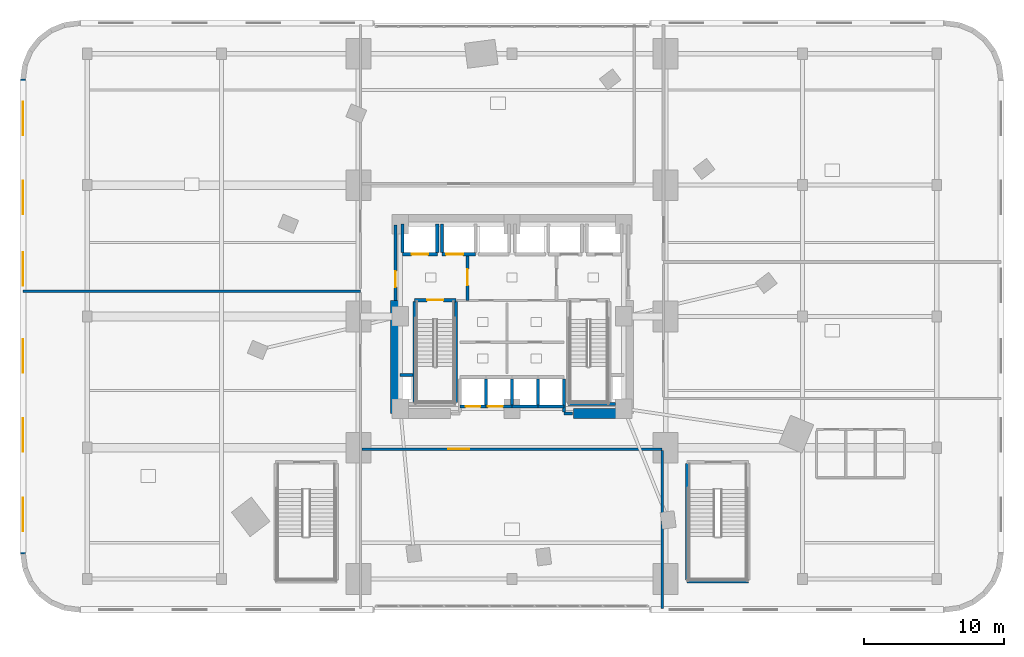
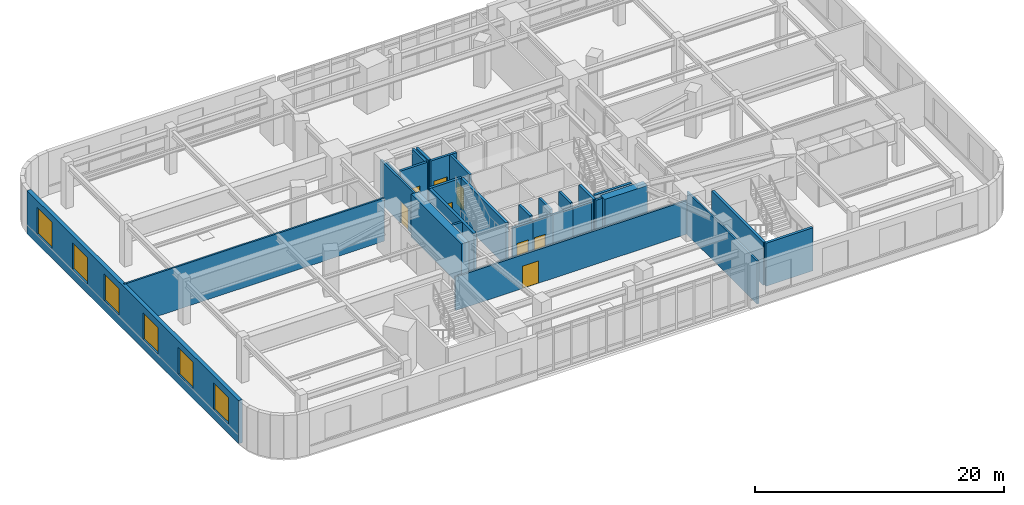
# One storey, part 13 of 19: 29 walls, 8 doors, 6 windows, 14 openings.
"""IFC4 building model written with IfcOpenShell, lengths in metres."""

from ifc_helpers import new_model, si_unit, direction, frame, frame_2d, origin, place, context, subcontext, project, spatial, rectangle, extrude, material, layer, layer_set, type_object, element, fill, save


model = new_model("IFC4")

# Units and contexts
model_context = context("Model", 3, precision=1e-05, world=origin(), true_north=direction((0.0, 1.0)))
body_context = subcontext(model_context, "Body", "Model", "MODEL_VIEW")
ifc_project = project(units=[si_unit("LENGTHUNIT", "METRE"), si_unit("AREAUNIT", "SQUARE_METRE"), si_unit("VOLUMEUNIT", "CUBIC_METRE"), si_unit("PLANEANGLEUNIT", "RADIAN"), si_unit("MASSUNIT", "GRAM", prefix="KILO")], contexts=[model_context])

# Site, building, storey
site_placement = place(None, origin())
site = spatial("IfcSite", under=ifc_project, at=site_placement, CompositionType="ELEMENT")
building_placement = place(site_placement, origin())
building = spatial("IfcBuilding", under=site, at=building_placement, Name="Ndelora Gate Hotel", CompositionType="ELEMENT")
storey_placement = place(building_placement, frame((0.0, 0.0, 21.5)))
storey = spatial("IfcBuildingStorey", under=building, at=storey_placement, Name="L04", CompositionType="ELEMENT", Elevation=21.5)

# Wall, openings, windows
ifc_material_1 = material(Name="Clay Brick Masonry", Category="masonry")
ifc_layer_1 = layer(ifc_material_1, 0.360107421875)
ifc_layer_set_1 = layer_set([ifc_layer_1], Name="Clay Brick Masonry")
wall_type_1 = type_object("IfcWallType", Name="WL-BRICK-360", PredefinedType="SOLIDWALL", material=ifc_layer_set_1)
wall_1_placement = place(storey_placement, frame((-35.0, -17.0, 0.0), z_axis=(0.0, 0.0, 1.0), x_axis=(0.0, 1.0, 0.0)))
wall_1 = element("IfcWall", 1, at=wall_1_placement, inside=storey, type_object=wall_type_1, Name="L04 Exterior Brick Pier-and-Spandrel Wall 22", PredefinedType="SOLIDWALL", context=body_context, shape_type="SweptSolid", body=[
    extrude(rectangle(XDim=34.0, YDim=0.360107421875, at=frame_2d((17.0, 0.0))), origin(), (0.0, 0.0, 1.0), 4.219970703125),
])
opening_1_placement = place(wall_1_placement, frame((1.63330078125, 0.0, 0.949951171875)))
opening_1 = element("IfcOpeningElement", 2, at=opening_1_placement, cuts=wall_1, Name="Opening W04", PredefinedType="OPENING", context=body_context, shape_type="SweptSolid", body=[
    extrude(rectangle(XDim=2.39990234375, YDim=2.60009765625, at=frame_2d((1.199951171875, 1.300048828125))), frame((0.0, 0.18994140625, 0.0), z_axis=(0.0, -1.0, 0.0), x_axis=(1.0, 0.0, 0.0)), (0.0, 0.0, 1.0), 0.380126953125),
])
opening_2_placement = place(wall_1_placement, frame((7.300048828125, 0.0, 0.949951171875)))
opening_2 = element("IfcOpeningElement", 3, at=opening_2_placement, cuts=wall_1, Name="Opening W04", PredefinedType="OPENING", context=body_context, shape_type="SweptSolid", body=[
    extrude(rectangle(XDim=2.39990234375, YDim=2.60009765625, at=frame_2d((1.199951171875, 1.300048828125))), frame((0.0, 0.18994140625, 0.0), z_axis=(0.0, -1.0, 0.0), x_axis=(1.0, 0.0, 0.0)), (0.0, 0.0, 1.0), 0.380126953125),
])
opening_3_placement = place(wall_1_placement, frame((12.966796875, 0.0, 0.949951171875)))
opening_3 = element("IfcOpeningElement", 4, at=opening_3_placement, cuts=wall_1, Name="Opening W04", PredefinedType="OPENING", context=body_context, shape_type="SweptSolid", body=[
    extrude(rectangle(XDim=2.39990234375, YDim=2.60009765625, at=frame_2d((1.199951171875, 1.300048828125))), frame((0.0, 0.18994140625, 0.0), z_axis=(0.0, -1.0, 0.0), x_axis=(1.0, 0.0, 0.0)), (0.0, 0.0, 1.0), 0.380126953125),
])
opening_4_placement = place(wall_1_placement, frame((19.199951171875, 0.0, 0.949951171875)))
opening_4 = element("IfcOpeningElement", 5, at=opening_4_placement, cuts=wall_1, Name="Opening W04", PredefinedType="OPENING", context=body_context, shape_type="SweptSolid", body=[
    extrude(rectangle(XDim=2.39990234375, YDim=2.60009765625, at=frame_2d((1.199951171875, 1.300048828125))), frame((0.0, 0.18994140625, 0.0), z_axis=(0.0, -1.0, 0.0), x_axis=(1.0, 0.0, 0.0)), (0.0, 0.0, 1.0), 0.380126953125),
])
opening_5_placement = place(wall_1_placement, frame((24.300048828125, 0.0, 0.949951171875)))
opening_5 = element("IfcOpeningElement", 6, at=opening_5_placement, cuts=wall_1, Name="Opening W04", PredefinedType="OPENING", context=body_context, shape_type="SweptSolid", body=[
    extrude(rectangle(XDim=2.39990234375, YDim=2.60009765625, at=frame_2d((1.199951171875, 1.300048828125))), frame((0.0, 0.18994140625, 0.0), z_axis=(0.0, -1.0, 0.0), x_axis=(1.0, 0.0, 0.0)), (0.0, 0.0, 1.0), 0.380126953125),
])
opening_6_placement = place(wall_1_placement, frame((29.966796875, 0.0, 0.949951171875)))
opening_6 = element("IfcOpeningElement", 7, at=opening_6_placement, cuts=wall_1, Name="Opening W04", PredefinedType="OPENING", context=body_context, shape_type="SweptSolid", body=[
    extrude(rectangle(XDim=2.39990234375, YDim=2.60009765625, at=frame_2d((1.199951171875, 1.300048828125))), frame((0.0, 0.18994140625, 0.0), z_axis=(0.0, -1.0, 0.0), x_axis=(1.0, 0.0, 0.0)), (0.0, 0.0, 1.0), 0.380126953125),
])
ifc_material_2 = material(Name="Insulated Low-E Double Glazing in Bronze Aluminium Frame", Category="aluminium")
window_type = type_object("IfcWindowType", Name="WN-POD-2400", PartitioningType="SINGLE_PANEL", PredefinedType="WINDOW", material=ifc_material_2)
window_1_placement = place(opening_1_placement, origin())
window_1 = element("IfcWindow", 8, at=window_1_placement, inside=storey, type_object=window_type, Name="L04 Deep-Set Podium Brick-Frame Window W04", OverallHeight=2.60009765625, OverallWidth=2.39990234375, PartitioningType="SINGLE_PANEL", PredefinedType="WINDOW", context=body_context, shape_type="SweptSolid", body=[
    extrude(rectangle(XDim=2.39990234375, YDim=2.60009765625, at=frame_2d((1.199951171875, 1.300048828125))), frame((0.0, 0.030029296875, 0.0), z_axis=(0.0, -1.0, 0.0), x_axis=(1.0, 0.0, 0.0)), (0.0, 0.0, 1.0), 0.06005859375),
])
fill(opening_1, window_1)
window_2_placement = place(opening_2_placement, origin())
window_2 = element("IfcWindow", 9, at=window_2_placement, inside=storey, type_object=window_type, Name="L04 Deep-Set Podium Brick-Frame Window W04", OverallHeight=2.60009765625, OverallWidth=2.39990234375, PartitioningType="SINGLE_PANEL", PredefinedType="WINDOW", context=body_context, shape_type="SweptSolid", body=[
    extrude(rectangle(XDim=2.39990234375, YDim=2.60009765625, at=frame_2d((1.199951171875, 1.300048828125))), frame((0.0, 0.030029296875, 0.0), z_axis=(0.0, -1.0, 0.0), x_axis=(1.0, 0.0, 0.0)), (0.0, 0.0, 1.0), 0.06005859375),
])
fill(opening_2, window_2)
window_3_placement = place(opening_3_placement, origin())
window_3 = element("IfcWindow", 10, at=window_3_placement, inside=storey, type_object=window_type, Name="L04 Deep-Set Podium Brick-Frame Window W04", OverallHeight=2.60009765625, OverallWidth=2.39990234375, PartitioningType="SINGLE_PANEL", PredefinedType="WINDOW", context=body_context, shape_type="SweptSolid", body=[
    extrude(rectangle(XDim=2.39990234375, YDim=2.60009765625, at=frame_2d((1.199951171875, 1.300048828125))), frame((0.0, 0.030029296875, 0.0), z_axis=(0.0, -1.0, 0.0), x_axis=(1.0, 0.0, 0.0)), (0.0, 0.0, 1.0), 0.06005859375),
])
fill(opening_3, window_3)
window_4_placement = place(opening_4_placement, origin())
window_4 = element("IfcWindow", 11, at=window_4_placement, inside=storey, type_object=window_type, Name="L04 Deep-Set Podium Brick-Frame Window W04", OverallHeight=2.60009765625, OverallWidth=2.39990234375, PartitioningType="SINGLE_PANEL", PredefinedType="WINDOW", context=body_context, shape_type="SweptSolid", body=[
    extrude(rectangle(XDim=2.39990234375, YDim=2.60009765625, at=frame_2d((1.199951171875, 1.300048828125))), frame((0.0, 0.030029296875, 0.0), z_axis=(0.0, -1.0, 0.0), x_axis=(1.0, 0.0, 0.0)), (0.0, 0.0, 1.0), 0.06005859375),
])
fill(opening_4, window_4)
window_5_placement = place(opening_5_placement, origin())
window_5 = element("IfcWindow", 12, at=window_5_placement, inside=storey, type_object=window_type, Name="L04 Deep-Set Podium Brick-Frame Window W04", OverallHeight=2.60009765625, OverallWidth=2.39990234375, PartitioningType="SINGLE_PANEL", PredefinedType="WINDOW", context=body_context, shape_type="SweptSolid", body=[
    extrude(rectangle(XDim=2.39990234375, YDim=2.60009765625, at=frame_2d((1.199951171875, 1.300048828125))), frame((0.0, 0.030029296875, 0.0), z_axis=(0.0, -1.0, 0.0), x_axis=(1.0, 0.0, 0.0)), (0.0, 0.0, 1.0), 0.06005859375),
])
fill(opening_5, window_5)
window_6_placement = place(opening_6_placement, origin())
window_6 = element("IfcWindow", 13, at=window_6_placement, inside=storey, type_object=window_type, Name="L04 Deep-Set Podium Brick-Frame Window W04", OverallHeight=2.60009765625, OverallWidth=2.39990234375, PartitioningType="SINGLE_PANEL", PredefinedType="WINDOW", context=body_context, shape_type="SweptSolid", body=[
    extrude(rectangle(XDim=2.39990234375, YDim=2.60009765625, at=frame_2d((1.199951171875, 1.300048828125))), frame((0.0, 0.030029296875, 0.0), z_axis=(0.0, -1.0, 0.0), x_axis=(1.0, 0.0, 0.0)), (0.0, 0.0, 1.0), 0.06005859375),
])
fill(opening_6, window_6)

# Walls
ifc_material_3 = material(Name="Concrete C60/75", Category="concrete")
ifc_layer_2 = layer(ifc_material_3, 0.699951171875)
ifc_layer_set_2 = layer_set([ifc_layer_2], Name="Concrete C60/75")
wall_type_2 = type_object("IfcWallType", Name="WL-CORE-700", PredefinedType="SHEAR", material=ifc_layer_set_2)
wall_2_placement = place(storey_placement, frame((4.39990234375, -6.949951171875, 0.0), z_axis=(0.0, 0.0, 1.0), x_axis=(1.0, 0.0, 0.0)))
element("IfcWall", 14, at=wall_2_placement, inside=storey, type_object=wall_type_2, Name="L04 Core Shear Wall S-E", PredefinedType="SHEAR", context=body_context, shape_type="SweptSolid", body=[
    extrude(rectangle(XDim=3.9501953125, YDim=0.699951171875, at=frame_2d((1.97509765625, 0.0))), origin(), (0.0, 0.0, 1.0), 4.219970703125),
])
wall_3_placement = place(storey_placement, frame((-8.35009765625, -6.949951171875, 0.0), z_axis=(0.0, 0.0, 1.0), x_axis=(0.0, 1.0, 0.0)))
element("IfcWall", 15, at=wall_3_placement, inside=storey, type_object=wall_type_2, Name="L04 Core Shear Wall W", PredefinedType="SHEAR", context=body_context, shape_type="SweptSolid", body=[
    extrude(rectangle(XDim=8.099853515625, YDim=0.699951171875, at=frame_2d((4.0498046875, 0.0))), origin(), (0.0, 0.0, 1.0), 4.219970703125),
])

# Wall, opening, door
ifc_material_4 = material(Name="Concrete C40/50", Category="concrete")
ifc_layer_3 = layer(ifc_material_4, 0.199951171875)
ifc_layer_set_3 = layer_set([ifc_layer_3], Name="Concrete C40/50")
wall_type_3 = type_object("IfcWallType", Name="WL-FIRE-200", PredefinedType="PARTITIONING", material=ifc_layer_set_3)
wall_4_placement = place(storey_placement, frame((-3.179931640625, 1.14990234375, 0.0), z_axis=(0.0, 0.0, 1.0), x_axis=(0.0, 1.0, 0.0)))
wall_4 = element("IfcWall", 16, at=wall_4_placement, inside=storey, type_object=wall_type_3, Name="L04 Interior Wall IW-2", PredefinedType="PARTITIONING", context=body_context, shape_type="SweptSolid", body=[
    extrude(rectangle(XDim=3.300048828125, YDim=0.199951171875, at=frame_2d((1.64990234375, 0.0))), origin(), (0.0, 0.0, 1.0), 4.219970703125),
])
opening_7_placement = place(wall_4_placement, frame((1.080078125, 0.0, 0.0)))
opening_7 = element("IfcOpeningElement", 17, at=opening_7_placement, cuts=wall_4, Name="Opening FD1", PredefinedType="OPENING", context=body_context, shape_type="SweptSolid", body=[
    extrude(rectangle(XDim=1.14990234375, YDim=2.14990234375, at=frame_2d((0.574951171875, 1.074951171875))), frame((0.0, 0.10986328125, 0.0), z_axis=(0.0, -1.0, 0.0), x_axis=(1.0, 0.0, 0.0)), (0.0, 0.0, 1.0), 0.219970703125),
])
ifc_material_5 = material(Name="Fire-Rated Timber-Veneer Steel Core", Category="steel")
door_type_1 = type_object("IfcDoorType", Name="DR-FD60", OperationType="SINGLE_SWING_LEFT", PredefinedType="DOOR", material=ifc_material_5)
door_1_placement = place(opening_7_placement, origin())
door_1 = element("IfcDoor", 18, at=door_1_placement, inside=storey, type_object=door_type_1, Name="L04 Firefighting Lobby West Door", OperationType="SINGLE_SWING_RIGHT", OverallHeight=2.14990234375, OverallWidth=1.14990234375, PredefinedType="DOOR", context=body_context, shape_type="SweptSolid", body=[
    extrude(rectangle(XDim=1.14990234375, YDim=2.14990234375, at=frame_2d((0.574951171875, 1.074951171875))), frame((0.0, 0.02490234375, 0.0), z_axis=(0.0, -1.0, 0.0), x_axis=(1.0, 0.0, 0.0)), (0.0, 0.0, 1.0), 0.050048828125),
])
fill(opening_7, door_1)

wall_5_placement = place(storey_placement, frame((-8.35009765625, 1.14990234375, 0.0), z_axis=(0.0, 0.0, 1.0), x_axis=(0.0, 1.0, 0.0)))
wall_5 = element("IfcWall", 19, at=wall_5_placement, inside=storey, type_object=wall_type_3, Name="L04 Interior Wall IW-2", PredefinedType="PARTITIONING", context=body_context, shape_type="SweptSolid", body=[
    extrude(rectangle(XDim=5.400146484375, YDim=0.199951171875, at=frame_2d((2.7001953125, 0.0))), origin(), (0.0, 0.0, 1.0), 4.219970703125),
])
opening_8_placement = place(wall_5_placement, frame((0.949951171875, 0.0, 0.0)))
opening_8 = element("IfcOpeningElement", 20, at=opening_8_placement, cuts=wall_5, Name="Opening FD1", PredefinedType="OPENING", context=body_context, shape_type="SweptSolid", body=[
    extrude(rectangle(XDim=1.14990234375, YDim=2.14990234375, at=frame_2d((0.574951171875, 1.074951171875))), frame((0.0, 0.10986328125, 0.0), z_axis=(0.0, -1.0, 0.0), x_axis=(1.0, 0.0, 0.0)), (0.0, 0.0, 1.0), 0.219970703125),
])
door_2_placement = place(opening_8_placement, origin())
door_2 = element("IfcDoor", 21, at=door_2_placement, inside=storey, type_object=door_type_1, Name="L04 Firefighting Lobby West Corridor Door", OperationType="SINGLE_SWING_LEFT", OverallHeight=2.14990234375, OverallWidth=1.14990234375, PredefinedType="DOOR", context=body_context, shape_type="SweptSolid", body=[
    extrude(rectangle(XDim=1.14990234375, YDim=2.14990234375, at=frame_2d((0.574951171875, 1.074951171875))), frame((0.0, 0.02490234375, 0.0), z_axis=(0.0, -1.0, 0.0), x_axis=(1.0, 0.0, 0.0)), (0.0, 0.0, 1.0), 0.050048828125),
])
fill(opening_8, door_2)

# Walls
wall_6_placement = place(storey_placement, frame((3.719970703125, -6.949951171875, 0.0), z_axis=(0.0, 0.0, 1.0), x_axis=(1.0, 0.0, 0.0)))
element("IfcWall", 22, at=wall_6_placement, inside=storey, type_object=wall_type_3, Name="L04 Interior Wall IW-2", PredefinedType="PARTITIONING", context=body_context, shape_type="SweptSolid", body=[
    extrude(rectangle(XDim=0.60009765625, YDim=0.199951171875, at=frame_2d((0.300048828125, 0.0))), origin(), (0.0, 0.0, 1.0), 4.219970703125),
])
ifc_material_6 = material(Name="Fire-Rated Gypsum Stud Partition", Category="gypsum")
ifc_layer_4 = layer(ifc_material_6, 0.159912109375)
ifc_layer_set_4 = layer_set([ifc_layer_4], Name="Fire-Rated Gypsum Stud Partition")
wall_type_4 = type_object("IfcWallType", Name="WL-PART-160", PredefinedType="PARTITIONING", material=ifc_layer_set_4)
wall_7_placement = place(storey_placement, frame((-10.85009765625, 1.800048828125, 0.0), z_axis=(0.0, 0.0, 1.0), x_axis=(-1.0, 0.0, 0.0)))
element("IfcWall", 23, at=wall_7_placement, inside=storey, type_object=wall_type_4, Name="L04 Interior Wall IW-4", PredefinedType="PARTITIONING", context=body_context, shape_type="SweptSolid", body=[
    extrude(rectangle(XDim=24.14990234375, YDim=0.159912109375, at=frame_2d((12.074951171875, 0.0))), origin(), (0.0, 0.0, 1.0), 4.219970703125),
])

# Wall, opening, door
wall_8_placement = place(storey_placement, frame((10.75, -9.5, 0.0), z_axis=(0.0, 0.0, 1.0), x_axis=(-1.0, 0.0, 0.0)))
wall_8 = element("IfcWall", 24, at=wall_8_placement, inside=storey, type_object=wall_type_4, Name="L04 Interior Wall IW-4", PredefinedType="PARTITIONING", context=body_context, shape_type="SweptSolid", body=[
    extrude(rectangle(XDim=21.5, YDim=0.159912109375, at=frame_2d((10.75, 0.0))), origin(), (0.0, 0.0, 1.0), 3.300048828125),
])
opening_9_placement = place(wall_8_placement, frame((13.800048828125, 0.0, 0.0)))
opening_9 = element("IfcOpeningElement", 25, at=opening_9_placement, cuts=wall_8, Name="Opening D06", PredefinedType="OPENING", context=body_context, shape_type="SweptSolid", body=[
    extrude(rectangle(XDim=1.5, YDim=2.199951171875, at=frame_2d((0.75, 1.10009765625))), frame((0.0, 0.08984375, 0.0), z_axis=(0.0, -1.0, 0.0), x_axis=(1.0, 0.0, 0.0)), (0.0, 0.0, 1.0), 0.179931640625),
])
ifc_material_7 = material(Name="Podium Salon Double Leaf Door", Category="wood")
door_type_2 = type_object("IfcDoorType", Name="DR-POD-1500", OperationType="DOUBLE_DOOR_SINGLE_SWING", PredefinedType="DOOR", material=ifc_material_7)
door_3_placement = place(opening_9_placement, origin())
door_3 = element("IfcDoor", 26, at=door_3_placement, inside=storey, type_object=door_type_2, Name="L04 South Syndicate Salon Door", OperationType="DOUBLE_DOOR_SINGLE_SWING", OverallHeight=2.199951171875, OverallWidth=1.5, PredefinedType="DOOR", context=body_context, shape_type="SweptSolid", body=[
    extrude(rectangle(XDim=1.5, YDim=2.199951171875, at=frame_2d((0.75, 1.10009765625))), frame((0.0, 0.02490234375, 0.0), z_axis=(0.0, -1.0, 0.0), x_axis=(1.0, 0.0, 0.0)), (0.0, 0.0, 1.0), 0.050048828125),
])
fill(opening_9, door_3)

# Walls
wall_9_placement = place(storey_placement, frame((10.75, -20.89990234375, 0.0), z_axis=(0.0, 0.0, 1.0), x_axis=(0.0, 1.0, 0.0)))
element("IfcWall", 27, at=wall_9_placement, inside=storey, type_object=wall_type_4, Name="L04 Interior Wall IW-4", PredefinedType="PARTITIONING", context=body_context, shape_type="SweptSolid", body=[
    extrude(rectangle(XDim=11.2998046875, YDim=0.159912109375, at=frame_2d((5.64990234375, 0.0))), origin(), (0.0, 0.0, 1.0), 4.219970703125),
])
ifc_layer_5 = layer(ifc_material_4, 0.219970703125)
ifc_layer_set_5 = layer_set([ifc_layer_5], Name="Concrete C40/50")
wall_type_5 = type_object("IfcWallType", Name="WL-SHAFT-220", PredefinedType="PARTITIONING", material=ifc_layer_set_5)
wall_10_placement = place(storey_placement, frame((-8.0, -4.199951171875, 0.0), z_axis=(0.0, 0.0, 1.0), x_axis=(1.0, 0.0, 0.0)))
element("IfcWall", 28, at=wall_10_placement, inside=storey, type_object=wall_type_5, Name="L04 Interior Wall IW-1", PredefinedType="PARTITIONING", context=body_context, shape_type="SweptSolid", body=[
    extrude(rectangle(XDim=0.909912109375, YDim=0.219970703125, at=frame_2d((0.455078125, 0.0))), origin(), (0.0, 0.0, 1.0), 4.219970703125),
])

# Wall, opening, door
wall_11_placement = place(storey_placement, frame((-7.85009765625, 4.449951171875, 0.0), z_axis=(0.0, 0.0, 1.0), x_axis=(1.0, 0.0, 0.0)))
wall_11 = element("IfcWall", 29, at=wall_11_placement, inside=storey, type_object=wall_type_5, Name="L04 Interior Wall IW-1", PredefinedType="PARTITIONING", context=body_context, shape_type="SweptSolid", body=[
    extrude(rectangle(XDim=2.5, YDim=0.219970703125, at=frame_2d((1.25, 0.0))), origin(), (0.0, 0.0, 1.0), 4.219970703125),
])
opening_10_placement = place(wall_11_placement, frame((0.659912109375, 0.0, 0.0)))
opening_10 = element("IfcOpeningElement", 30, at=opening_10_placement, cuts=wall_11, Name="Opening LD5", PredefinedType="OPENING", context=body_context, shape_type="SweptSolid", body=[
    extrude(rectangle(XDim=1.179931640625, YDim=2.14990234375, at=frame_2d((0.58984375, 1.074951171875))), frame((0.0, 0.1201171875, 0.0), z_axis=(0.0, -1.0, 0.0), x_axis=(1.0, 0.0, 0.0)), (0.0, 0.0, 1.0), 0.239990234375),
])
ifc_material_8 = material(Name="Firefighting Lift Stainless Sliding Landing Door", Category="metal")
door_type_3 = type_object("IfcDoorType", Name="DR-LD5", OperationType="DOUBLE_DOOR_SLIDING", PredefinedType="DOOR", material=ifc_material_8)
door_4_placement = place(opening_10_placement, origin())
door_4 = element("IfcDoor", 31, at=door_4_placement, inside=storey, type_object=door_type_3, Name="L04 Lift Landing Sliding Door FFL1", OperationType="DOUBLE_DOOR_SLIDING", OverallHeight=2.14990234375, OverallWidth=1.179931640625, PredefinedType="DOOR", context=body_context, shape_type="SweptSolid", body=[
    extrude(rectangle(XDim=1.179931640625, YDim=2.14990234375, at=frame_2d((0.58984375, 1.074951171875))), frame((0.0, 0.02490234375, 0.0), z_axis=(0.0, -1.0, 0.0), x_axis=(1.0, 0.0, 0.0)), (0.0, 0.0, 1.0), 0.050048828125),
])
fill(opening_10, door_4)

# Walls
wall_12_placement = place(storey_placement, frame((-7.85009765625, 4.570068359375, 0.0), z_axis=(0.0, 0.0, 1.0), x_axis=(0.0, 1.0, 0.0)))
element("IfcWall", 32, at=wall_12_placement, inside=storey, type_object=wall_type_5, Name="L04 Interior Wall IW-1", PredefinedType="PARTITIONING", context=body_context, shape_type="SweptSolid", body=[
    extrude(rectangle(XDim=2.030029296875, YDim=0.219970703125, at=frame_2d((1.01513671875, 0.0))), origin(), (0.0, 0.0, 1.0), 3.800048828125),
])
wall_13_placement = place(storey_placement, frame((-5.35009765625, 4.570068359375, 0.0), z_axis=(0.0, 0.0, 1.0), x_axis=(0.0, 1.0, 0.0)))
element("IfcWall", 33, at=wall_13_placement, inside=storey, type_object=wall_type_5, Name="L04 Interior Wall IW-1", PredefinedType="PARTITIONING", context=body_context, shape_type="SweptSolid", body=[
    extrude(rectangle(XDim=2.030029296875, YDim=0.219970703125, at=frame_2d((1.01513671875, 0.0))), origin(), (0.0, 0.0, 1.0), 4.219970703125),
])

# Wall, opening, door
wall_14_placement = place(storey_placement, frame((-5.0, 4.449951171875, 0.0), z_axis=(0.0, 0.0, 1.0), x_axis=(1.0, 0.0, 0.0)))
wall_14 = element("IfcWall", 34, at=wall_14_placement, inside=storey, type_object=wall_type_5, Name="L04 Interior Wall IW-1", PredefinedType="PARTITIONING", context=body_context, shape_type="SweptSolid", body=[
    extrude(rectangle(XDim=2.39990234375, YDim=0.219970703125, at=frame_2d((1.199951171875, 0.0))), origin(), (0.0, 0.0, 1.0), 4.219970703125),
])
opening_11_placement = place(wall_14_placement, frame((0.280029296875, 0.0, 0.0)))
opening_11 = element("IfcOpeningElement", 35, at=opening_11_placement, cuts=wall_14, Name="Opening LD6", PredefinedType="OPENING", context=body_context, shape_type="SweptSolid", body=[
    extrude(rectangle(XDim=1.219970703125, YDim=2.14990234375, at=frame_2d((0.60986328125, 1.074951171875))), frame((0.0, 0.1201171875, 0.0), z_axis=(0.0, -1.0, 0.0), x_axis=(1.0, 0.0, 0.0)), (0.0, 0.0, 1.0), 0.239990234375),
])
ifc_material_9 = material(Name="Heavy-Duty Service Lift Sliding Landing Door", Category="wood")
door_type_4 = type_object("IfcDoorType", Name="DR-LD6", OperationType="DOUBLE_DOOR_SLIDING", PredefinedType="DOOR", material=ifc_material_9)
door_5_placement = place(opening_11_placement, origin())
door_5 = element("IfcDoor", 36, at=door_5_placement, inside=storey, type_object=door_type_4, Name="L04 Lift Landing Sliding Door SVL1", OperationType="DOUBLE_DOOR_SLIDING", OverallHeight=2.14990234375, OverallWidth=1.219970703125, PredefinedType="DOOR", context=body_context, shape_type="SweptSolid", body=[
    extrude(rectangle(XDim=1.219970703125, YDim=2.14990234375, at=frame_2d((0.60986328125, 1.074951171875))), frame((0.0, 0.02490234375, 0.0), z_axis=(0.0, -1.0, 0.0), x_axis=(1.0, 0.0, 0.0)), (0.0, 0.0, 1.0), 0.050048828125),
])
fill(opening_11, door_5)

# Wall
wall_15_placement = place(storey_placement, frame((-5.0, 4.570068359375, 0.0), z_axis=(0.0, 0.0, 1.0), x_axis=(0.0, 1.0, 0.0)))
element("IfcWall", 37, at=wall_15_placement, inside=storey, type_object=wall_type_5, Name="L04 Interior Wall IW-1", PredefinedType="PARTITIONING", context=body_context, shape_type="SweptSolid", body=[
    extrude(rectangle(XDim=2.030029296875, YDim=0.219970703125, at=frame_2d((1.01513671875, 0.0))), origin(), (0.0, 0.0, 1.0), 4.219970703125),
])

# Wall, opening, door
wall_16_placement = place(storey_placement, frame((-3.719970703125, -6.449951171875, 0.0), z_axis=(0.0, 0.0, 1.0), x_axis=(1.0, 0.0, 0.0)))
wall_16 = element("IfcWall", 38, at=wall_16_placement, inside=storey, type_object=wall_type_5, Name="L04 Interior Wall IW-1", PredefinedType="PARTITIONING", context=body_context, shape_type="SweptSolid", body=[
    extrude(rectangle(XDim=1.85986328125, YDim=0.219970703125, at=frame_2d((0.929931640625, 0.0))), origin(), (0.0, 0.0, 1.0), 3.800048828125),
])
opening_12_placement = place(wall_16_placement, frame((0.39990234375, 0.0, 0.0)))
opening_12 = element("IfcOpeningElement", 39, at=opening_12_placement, cuts=wall_16, Name="Opening LD1", PredefinedType="OPENING", context=body_context, shape_type="SweptSolid", body=[
    extrude(rectangle(XDim=1.06005859375, YDim=2.14990234375, at=frame_2d((0.530029296875, 1.074951171875))), frame((0.0, 0.1201171875, 0.0), z_axis=(0.0, -1.0, 0.0), x_axis=(1.0, 0.0, 0.0)), (0.0, 0.0, 1.0), 0.239990234375),
])
ifc_material_10 = material(Name="Brushed Bronze Stainless Lift Landing Door", Category="metal")
door_type_5 = type_object("IfcDoorType", Name="DR-LD1", OperationType="DOUBLE_DOOR_SLIDING", PredefinedType="DOOR", material=ifc_material_10)
door_6_placement = place(opening_12_placement, origin())
door_6 = element("IfcDoor", 40, at=door_6_placement, inside=storey, type_object=door_type_5, Name="L04 Lift Landing Sliding Door P1A", OperationType="DOUBLE_DOOR_SLIDING", OverallHeight=2.14990234375, OverallWidth=1.06005859375, PredefinedType="DOOR", context=body_context, shape_type="SweptSolid", body=[
    extrude(rectangle(XDim=1.06005859375, YDim=2.14990234375, at=frame_2d((0.530029296875, 1.074951171875))), frame((0.0, 0.02490234375, 0.0), z_axis=(0.0, -1.0, 0.0), x_axis=(1.0, 0.0, 0.0)), (0.0, 0.0, 1.0), 0.050048828125),
])
fill(opening_12, door_6)

# Wall
wall_17_placement = place(storey_placement, frame((-1.860107421875, -6.330078125, 0.0), z_axis=(0.0, 0.0, 1.0), x_axis=(0.0, 1.0, 0.0)))
element("IfcWall", 41, at=wall_17_placement, inside=storey, type_object=wall_type_5, Name="L04 Interior Wall IW-1", PredefinedType="PARTITIONING", context=body_context, shape_type="SweptSolid", body=[
    extrude(rectangle(XDim=1.860107421875, YDim=0.219970703125, at=frame_2d((0.93017578125, 0.0))), origin(), (0.0, 0.0, 1.0), 4.219970703125),
])

# Wall, opening, door
wall_18_placement = place(storey_placement, frame((-1.860107421875, -6.449951171875, 0.0), z_axis=(0.0, 0.0, 1.0), x_axis=(1.0, 0.0, 0.0)))
wall_18 = element("IfcWall", 42, at=wall_18_placement, inside=storey, type_object=wall_type_5, Name="L04 Interior Wall IW-1", PredefinedType="PARTITIONING", context=body_context, shape_type="SweptSolid", body=[
    extrude(rectangle(XDim=1.860107421875, YDim=0.219970703125, at=frame_2d((0.93017578125, 0.0))), origin(), (0.0, 0.0, 1.0), 3.800048828125),
])
opening_13_placement = place(wall_18_placement, frame((0.139892578125, 0.0, 0.0)))
opening_13 = element("IfcOpeningElement", 43, at=opening_13_placement, cuts=wall_18, Name="Opening LD1", PredefinedType="OPENING", context=body_context, shape_type="SweptSolid", body=[
    extrude(rectangle(XDim=1.06005859375, YDim=2.14990234375, at=frame_2d((0.530029296875, 1.074951171875))), frame((0.0, 0.1201171875, 0.0), z_axis=(0.0, -1.0, 0.0), x_axis=(1.0, 0.0, 0.0)), (0.0, 0.0, 1.0), 0.239990234375),
])
door_7_placement = place(opening_13_placement, origin())
door_7 = element("IfcDoor", 44, at=door_7_placement, inside=storey, type_object=door_type_5, Name="L04 Lift Landing Sliding Door P1B", OperationType="DOUBLE_DOOR_SLIDING", OverallHeight=2.14990234375, OverallWidth=1.06005859375, PredefinedType="DOOR", context=body_context, shape_type="SweptSolid", body=[
    extrude(rectangle(XDim=1.06005859375, YDim=2.14990234375, at=frame_2d((0.530029296875, 1.074951171875))), frame((0.0, 0.02490234375, 0.0), z_axis=(0.0, -1.0, 0.0), x_axis=(1.0, 0.0, 0.0)), (0.0, 0.0, 1.0), 0.050048828125),
])
fill(opening_13, door_7)

# Walls
wall_19_placement = place(storey_placement, frame((0.0, -6.330078125, 0.0), z_axis=(0.0, 0.0, 1.0), x_axis=(0.0, 1.0, 0.0)))
element("IfcWall", 45, at=wall_19_placement, inside=storey, type_object=wall_type_5, Name="L04 Interior Wall IW-1", PredefinedType="PARTITIONING", context=body_context, shape_type="SweptSolid", body=[
    extrude(rectangle(XDim=1.860107421875, YDim=0.219970703125, at=frame_2d((0.93017578125, 0.0))), origin(), (0.0, 0.0, 1.0), 4.219970703125),
])
wall_20_placement = place(storey_placement, frame((0.0, -6.449951171875, 0.0), z_axis=(0.0, 0.0, 1.0), x_axis=(1.0, 0.0, 0.0)))
element("IfcWall", 46, at=wall_20_placement, inside=storey, type_object=wall_type_5, Name="L04 Interior Wall IW-1", PredefinedType="PARTITIONING", context=body_context, shape_type="SweptSolid", body=[
    extrude(rectangle(XDim=1.860107421875, YDim=0.219970703125, at=frame_2d((0.93017578125, 0.0))), origin(), (0.0, 0.0, 1.0), 3.800048828125),
])
wall_21_placement = place(storey_placement, frame((1.860107421875, -6.330078125, 0.0), z_axis=(0.0, 0.0, 1.0), x_axis=(0.0, 1.0, 0.0)))
element("IfcWall", 47, at=wall_21_placement, inside=storey, type_object=wall_type_5, Name="L04 Interior Wall IW-1", PredefinedType="PARTITIONING", context=body_context, shape_type="SweptSolid", body=[
    extrude(rectangle(XDim=1.860107421875, YDim=0.219970703125, at=frame_2d((0.93017578125, 0.0))), origin(), (0.0, 0.0, 1.0), 4.219970703125),
])
wall_22_placement = place(storey_placement, frame((1.860107421875, -6.449951171875, 0.0), z_axis=(0.0, 0.0, 1.0), x_axis=(1.0, 0.0, 0.0)))
element("IfcWall", 48, at=wall_22_placement, inside=storey, type_object=wall_type_5, Name="L04 Interior Wall IW-1", PredefinedType="PARTITIONING", context=body_context, shape_type="SweptSolid", body=[
    extrude(rectangle(XDim=1.85986328125, YDim=0.219970703125, at=frame_2d((0.929931640625, 0.0))), origin(), (0.0, 0.0, 1.0), 3.800048828125),
])
wall_23_placement = place(storey_placement, frame((3.719970703125, -6.830078125, 0.0), z_axis=(0.0, 0.0, 1.0), x_axis=(0.0, 1.0, 0.0)))
element("IfcWall", 49, at=wall_23_placement, inside=storey, type_object=wall_type_5, Name="L04 Interior Wall IW-1", PredefinedType="PARTITIONING", context=body_context, shape_type="SweptSolid", body=[
    extrude(rectangle(XDim=2.360107421875, YDim=0.219970703125, at=frame_2d((1.18017578125, 0.0))), origin(), (0.0, 0.0, 1.0), 4.219970703125),
])
ifc_material_11 = material(Name="Concrete C50/60", Category="concrete")
ifc_layer_6 = layer(ifc_material_11, 0.239990234375)
ifc_layer_set_6 = layer_set([ifc_layer_6], Name="Concrete C50/60")
wall_type_6 = type_object("IfcWallType", Name="WL-STAIR-240", PredefinedType="SHEAR", material=ifc_layer_set_6)
for number, where, z_axis, x_axis, name in (
    (50, (-6.969970703125, -6.159912109375, 0.0), (0.0, 0.0, 1.0), (0.0, 1.0, 0.0), "L04 Stair Core Shear Wall SW-ST"),
    (51, (-4.010009765625, -6.159912109375, 0.0), (0.0, 0.0, 1.0), (0.0, 1.0, 0.0), "L04 Stair Core Shear Wall SW-ST"),
):
    element("IfcWall", number, at=place(storey_placement, frame(where, z_axis=z_axis, x_axis=x_axis)), inside=storey, type_object=wall_type_6, Name=name, PredefinedType="SHEAR", context=body_context, shape_type="SweptSolid", body=[
        extrude(rectangle(XDim=7.219970703125, YDim=0.239990234375, at=frame_2d((3.60986328125, 0.0))), origin(), (0.0, 0.0, 1.0), 4.219970703125),
    ])

# Wall, opening, door
wall_24_placement = place(storey_placement, frame((-6.969970703125, 1.169921875, 0.0), z_axis=(0.0, 0.0, 1.0), x_axis=(1.0, 0.0, 0.0)))
wall_24 = element("IfcWall", 52, at=wall_24_placement, inside=storey, type_object=wall_type_6, Name="L04 Stair Core Shear Wall SW-ST", PredefinedType="SHEAR", context=body_context, shape_type="SweptSolid", body=[
    extrude(rectangle(XDim=2.9599609375, YDim=0.239990234375, at=frame_2d((1.47998046875, 0.0))), origin(), (0.0, 0.0, 1.0), 4.219970703125),
])
opening_14_placement = place(wall_24_placement, frame((0.89990234375, 0.0, 0.0)))
opening_14 = element("IfcOpeningElement", 53, at=opening_14_placement, cuts=wall_24, Name="Opening FD1", PredefinedType="OPENING", context=body_context, shape_type="SweptSolid", body=[
    extrude(rectangle(XDim=1.14990234375, YDim=2.14990234375, at=frame_2d((0.574951171875, 1.074951171875))), frame((0.0, 0.1298828125, 0.0), z_axis=(0.0, -1.0, 0.0), x_axis=(1.0, 0.0, 0.0)), (0.0, 0.0, 1.0), 0.260009765625),
])
door_8_placement = place(opening_14_placement, origin())
door_8 = element("IfcDoor", 54, at=door_8_placement, inside=storey, type_object=door_type_1, Name="L04 Exit Stair ST4 Door", OperationType="SINGLE_SWING_LEFT", OverallHeight=2.14990234375, OverallWidth=1.14990234375, PredefinedType="DOOR", context=body_context, shape_type="SweptSolid", body=[
    extrude(rectangle(XDim=1.14990234375, YDim=2.14990234375, at=frame_2d((0.574951171875, 1.074951171875))), frame((0.0, 0.02490234375, 0.0), z_axis=(0.0, -1.0, 0.0), x_axis=(1.0, 0.0, 0.0)), (0.0, 0.0, 1.0), 0.050048828125),
])
fill(opening_14, door_8)

# Walls
wall_25_placement = place(storey_placement, frame((4.010009765625, -6.27001953125, 0.0), z_axis=(0.0, 0.0, 1.0), x_axis=(1.0, 0.0, 0.0)))
element("IfcWall", 55, at=wall_25_placement, inside=storey, type_object=wall_type_6, Name="L04 Stair Core Shear Wall SW-ST", PredefinedType="SHEAR", context=body_context, shape_type="SweptSolid", body=[
    extrude(rectangle(XDim=3.4150390625, YDim=0.239990234375, at=frame_2d((1.70751953125, 0.0))), origin(), (0.0, 0.0, 1.0), 4.219970703125),
])
wall_26_placement = place(storey_placement, frame((12.5400390625, -18.860107421875, 0.0), z_axis=(0.0, 0.0, 1.0), x_axis=(0.0, 1.0, 0.0)))
element("IfcWall", 56, at=wall_26_placement, inside=storey, type_object=wall_type_6, Name="L04 Stair Core Shear Wall SW-ST", PredefinedType="SHEAR", context=body_context, shape_type="SweptSolid", body=[
    extrude(rectangle(XDim=8.320068359375, YDim=0.239990234375, at=frame_2d((4.16015625, 0.0))), origin(), (0.0, 0.0, 1.0), 4.219970703125),
])
wall_27_placement = place(storey_placement, frame((12.5400390625, -18.969970703125, 0.0), z_axis=(0.0, 0.0, 1.0), x_axis=(1.0, 0.0, 0.0)))
element("IfcWall", 57, at=wall_27_placement, inside=storey, type_object=wall_type_6, Name="L04 Stair Core Shear Wall SW-ST", PredefinedType="SHEAR", context=body_context, shape_type="SweptSolid", body=[
    extrude(rectangle(XDim=4.3798828125, YDim=0.239990234375, at=frame_2d((2.18994140625, 0.0))), origin(), (0.0, 0.0, 1.0), 4.219970703125),
])

save(model, "model.ifc")
